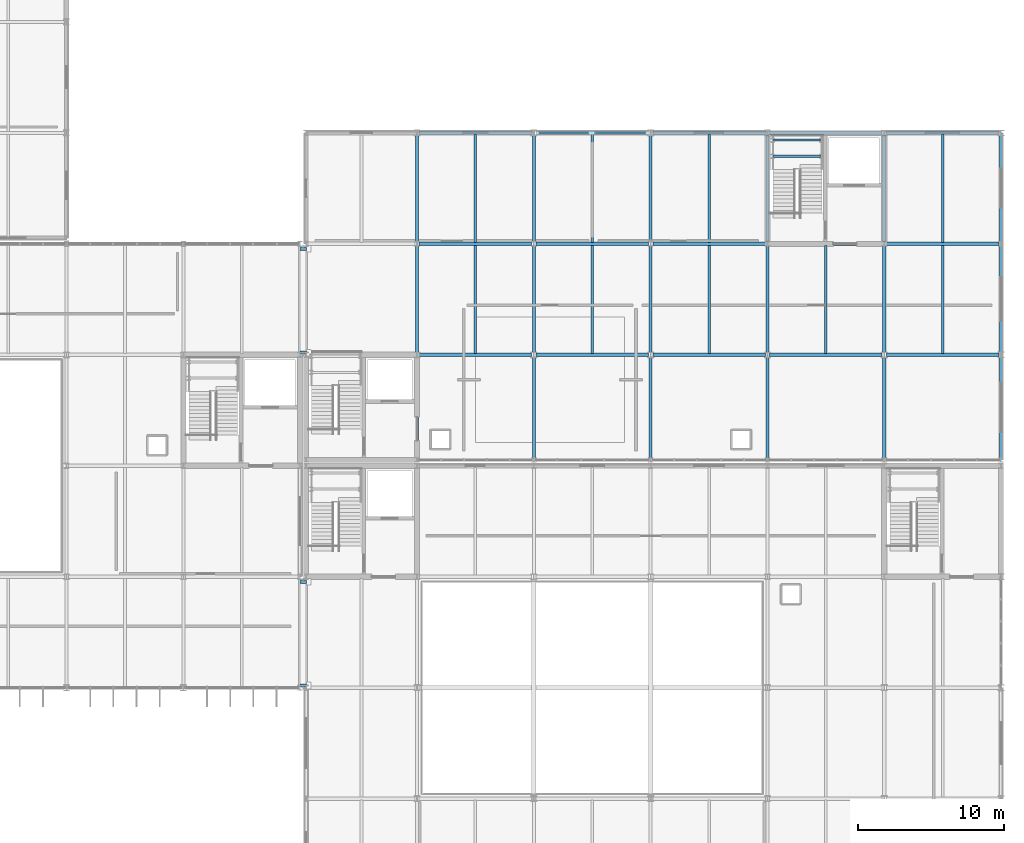
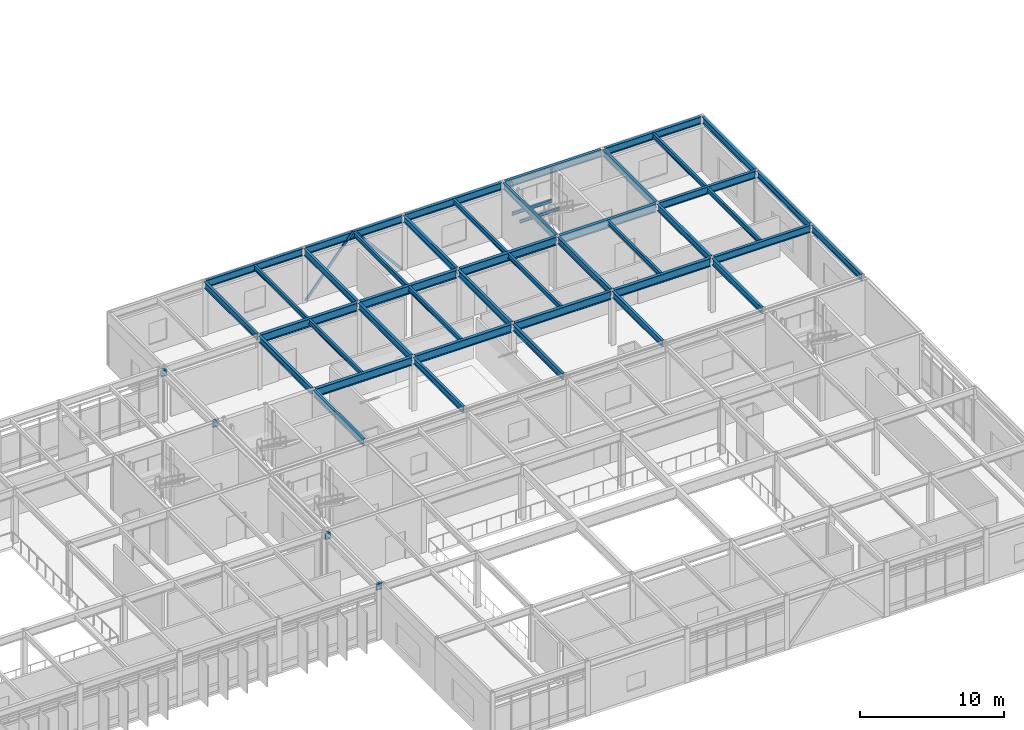
# One storey, part 69 of 104: 48 beams, 2 members.
"""IFC4 building model written with IfcOpenShell, lengths in metres."""

from ifc_helpers import new_model, si_unit, direction, frame, origin, origin_2d, place, context, subcontext, project, spatial, hollow_rectangle, i_section, extrude, material, material_profile, profile_set, type_object, element, save


model = new_model("IFC4")

# Units and contexts
model_context = context("Model", 3, precision=1e-05, world=origin(), true_north=direction((0.0, 1.0)))
body_context = subcontext(model_context, "Body", "Model", "MODEL_VIEW")
ifc_project = project(units=[si_unit("LENGTHUNIT", "METRE"), si_unit("AREAUNIT", "SQUARE_METRE"), si_unit("VOLUMEUNIT", "CUBIC_METRE"), si_unit("PLANEANGLEUNIT", "RADIAN"), si_unit("MASSUNIT", "GRAM", prefix="KILO")], contexts=[model_context])

# Site, building, storey
site_placement = place(None, origin())
site = spatial("IfcSite", under=ifc_project, at=site_placement, CompositionType="ELEMENT")
building_placement = place(site_placement, origin())
building = spatial("IfcBuilding", under=site, at=building_placement, Name="Zulena Civic Courthouse", CompositionType="ELEMENT")
storey_placement = place(building_placement, frame((0.0, 0.0, 10.800048828125)))
storey = spatial("IfcBuildingStorey", under=building, at=storey_placement, Name="L02", CompositionType="ELEMENT", Elevation=10.800048828125)

# Members
ifc_material_1 = material(Name="Steel ASTM A500 Grade C", Category="steel")
ifc_material_profile_1 = material_profile(ifc_material_1, hollow_rectangle(XDim=0.10205078125, YDim=0.202880859375, WallThickness=0.0087890625, at=origin_2d()), Name="HSS8X4X3/8")
ifc_profile_set_1 = profile_set([ifc_material_profile_1], Name="Steel ASTM A500 Grade C")
member_type = type_object("IfcMemberType", Name="Brace_HSS8X4", PredefinedType="BRACE", material=ifc_profile_set_1)
for number, where, z_axis, x_axis, name in (
    (1, (140.14990234375, 53.199951171875, 0.010009765625), (0.641014438311, 0.0, 0.767528820225), (0.0, 1.0, 0.0), "brace:V3:L02:3:0"),
    (2, (147.85009765625, 53.199951171875, 0.010009765625), (-0.641014438311, 0.0, 0.767528820225), (0.0, -1.0, 0.0), "brace:V3:L02:3:1"),
):
    element("IfcMember", number, at=place(storey_placement, frame(where, z_axis=z_axis, x_axis=x_axis)), inside=storey, type_object=member_type, Name=name, PredefinedType="BRACE", context=body_context, shape_type="SweptSolid", body=[
        extrude(hollow_rectangle(XDim=0.10205078125, YDim=0.202880859375, WallThickness=0.0087890625, at=origin_2d()), origin(), (0.0, 0.0, 1.0), 5.92822265625),
    ])

# Beams
ifc_material_2 = material(Name="Steel ASTM A992 Grade 50", Category="steel")
ifc_material_profile_2 = material_profile(ifc_material_2, i_section(OverallWidth=0.2099609375, OverallDepth=0.537109375, WebThickness=0.010986328125, FlangeThickness=0.017333984375, FilletRadius=0.0126953125, at=origin_2d()), Name="W21X68")
ifc_profile_set_2 = profile_set([ifc_material_profile_2], Name="Steel ASTM A992 Grade 50")
beam_type_1 = type_object("IfcBeamType", Name="BridgeGirder_W21X68", PredefinedType="BEAM", material=ifc_profile_set_2)
for number, where, z_axis, x_axis, name in (
    (3, (123.969970703125, 15.35009765625, 4.31640625), (1.0, 0.0, 0.0), (0.0, 1.0, 0.0), "beam:bridge:BR-41:L03:15.35"),
    (4, (123.969970703125, 22.449951171875, 4.31640625), (1.0, 0.0, 0.0), (0.0, 1.0, 0.0), "beam:bridge:BR-41:L03:22.45"),
    (5, (123.969970703125, 38.14990234375, 4.31640625), (1.0, 0.0, 0.0), (0.0, 1.0, 0.0), "beam:bridge:BR-43:L03:38.15"),
    (6, (123.969970703125, 45.25, 4.31640625), (1.0, 0.0, 0.0), (0.0, 1.0, 0.0), "beam:bridge:BR-43:L03:45.25"),
):
    element("IfcBeam", number, at=place(storey_placement, frame(where, z_axis=z_axis, x_axis=x_axis)), inside=storey, type_object=beam_type_1, Name=name, PredefinedType="BEAM", context=body_context, shape_type="SweptSolid", body=[
        extrude(i_section(OverallWidth=0.2099609375, OverallDepth=0.537109375, WebThickness=0.010986328125, FlangeThickness=0.017333984375, FilletRadius=0.0126953125, at=origin_2d()), origin(), (0.0, 0.0, 1.0), 0.4599609375),
    ])
ifc_material_profile_3 = material_profile(ifc_material_2, i_section(OverallWidth=0.214111328125, OverallDepth=0.549072265625, WebThickness=0.0146484375, FlangeThickness=0.023681640625, FilletRadius=0.0126953125, at=origin_2d()), Name="W21X93")
ifc_profile_set_3 = profile_set([ifc_material_profile_3], Name="Steel ASTM A992 Grade 50")
beam_type_2 = type_object("IfcBeamType", Name="Girder_W21X93", PredefinedType="BEAM", material=ifc_profile_set_3)
for number, where, z_axis, x_axis, name in (
    (7, (132.0, 38.14501953125, 4.3154296875), (0.0, 1.0, 0.0), (-1.0, 0.0, 0.0), "beam:Y:V3:L02:132.0:38.0_45.6"),
    (8, (140.0, 38.14501953125, 4.3154296875), (0.0, 1.0, 0.0), (-1.0, 0.0, 0.0), "beam:Y:V3:L02:140.0:38.0_45.6"),
    (9, (148.0, 38.14501953125, 4.3154296875), (0.0, 1.0, 0.0), (-1.0, 0.0, 0.0), "beam:Y:V3:L02:148.0:38.0_45.6"),
    (10, (156.0, 38.14501953125, 4.3154296875), (0.0, 1.0, 0.0), (-1.0, 0.0, 0.0), "beam:Y:V3:L02:156.0:38.0_45.6"),
    (11, (164.0, 38.14501953125, 4.3154296875), (0.0, 1.0, 0.0), (-1.0, 0.0, 0.0), "beam:Y:V3:L02:164.0:38.0_45.6"),
):
    element("IfcBeam", number, at=place(storey_placement, frame(where, z_axis=z_axis, x_axis=x_axis)), inside=storey, type_object=beam_type_2, Name=name, PredefinedType="BEAM", context=body_context, shape_type="SweptSolid", body=[
        extrude(i_section(OverallWidth=0.214111328125, OverallDepth=0.549072265625, WebThickness=0.0146484375, FlangeThickness=0.023681640625, FilletRadius=0.0126953125, at=origin_2d()), origin(), (0.0, 0.0, 1.0), 7.31005859375),
    ])
ifc_material_profile_4 = material_profile(ifc_material_2, i_section(OverallWidth=0.25390625, OverallDepth=0.701904296875, WebThickness=0.015380859375, FlangeThickness=0.02783203125, FilletRadius=0.0166015625, at=origin_2d()), Name="W27X129")
ifc_profile_set_4 = profile_set([ifc_material_profile_4], Name="Steel ASTM A992 Grade 50")
beam_type_3 = type_object("IfcBeamType", Name="Girder_W27X129", PredefinedType="BEAM", material=ifc_profile_set_4)
for number, where, z_axis, x_axis, name in (
    (12, (132.14501953125, 38.0, 4.239013671875), (1.0, 0.0, 0.0), (0.0, 1.0, 0.0), "beam:X:V3:L02:38.0:132.0_140.0"),
    (13, (140.14501953125, 38.0, 4.239013671875), (1.0, 0.0, 0.0), (0.0, 1.0, 0.0), "beam:X:V3:L02:38.0:140.0_148.0"),
    (14, (148.14501953125, 38.0, 4.239013671875), (1.0, 0.0, 0.0), (0.0, 1.0, 0.0), "beam:X:V3:L02:38.0:148.0_156.0"),
    (15, (156.14501953125, 38.0, 4.239013671875), (1.0, 0.0, 0.0), (0.0, 1.0, 0.0), "beam:X:V3:L02:38.0:156.0_164.0"),
    (16, (132.14501953125, 45.60009765625, 4.239013671875), (1.0, 0.0, 0.0), (0.0, 1.0, 0.0), "beam:X:V3:L02:45.6:132.0_140.0"),
    (17, (140.14501953125, 45.60009765625, 4.239013671875), (1.0, 0.0, 0.0), (0.0, 1.0, 0.0), "beam:X:V3:L02:45.6:140.0_148.0"),
    (18, (148.14501953125, 45.60009765625, 4.239013671875), (1.0, 0.0, 0.0), (0.0, 1.0, 0.0), "beam:X:V3:L02:45.6:148.0_156.0"),
    (19, (156.14501953125, 45.60009765625, 4.239013671875), (1.0, 0.0, 0.0), (0.0, 1.0, 0.0), "beam:X:V3:L02:45.6:156.0_164.0"),
):
    element("IfcBeam", number, at=place(storey_placement, frame(where, z_axis=z_axis, x_axis=x_axis)), inside=storey, type_object=beam_type_3, Name=name, PredefinedType="BEAM", context=body_context, shape_type="SweptSolid", body=[
        extrude(i_section(OverallWidth=0.25390625, OverallDepth=0.701904296875, WebThickness=0.015380859375, FlangeThickness=0.02783203125, FilletRadius=0.0166015625, at=origin_2d()), origin(), (0.0, 0.0, 1.0), 7.7099609375),
    ])
ifc_material_profile_5 = material_profile(ifc_material_2, i_section(OverallWidth=0.14599609375, OverallDepth=0.258056640625, WebThickness=0.006103515625, FlangeThickness=0.009033203125, FilletRadius=0.007568359375, at=origin_2d()), Name="W10X22")
ifc_profile_set_5 = profile_set([ifc_material_profile_5], Name="Steel ASTM A992 Grade 50")
beam_type_4 = type_object("IfcBeamType", Name="Joist_W10X22", PredefinedType="JOIST", material=ifc_profile_set_5)
for number, where, z_axis, x_axis, name in (
    (20, (156.419921875, 51.60009765625, 1.990966796875), (1.0, 0.0, 0.0), (0.0, 1.0, 0.0), "beam:lnd:K3B:L02:0"),
    (21, (156.419921875, 52.699951171875, 1.990966796875), (1.0, 0.0, 0.0), (0.0, 1.0, 0.0), "beam:lnd:K3B:L02:1"),
):
    element("IfcBeam", number, at=place(storey_placement, frame(where, z_axis=z_axis, x_axis=x_axis)), inside=storey, type_object=beam_type_4, Name=name, PredefinedType="JOIST", context=body_context, shape_type="SweptSolid", body=[
        extrude(i_section(OverallWidth=0.14599609375, OverallDepth=0.258056640625, WebThickness=0.006103515625, FlangeThickness=0.009033203125, FilletRadius=0.007568359375, at=origin_2d()), origin(), (0.0, 0.0, 1.0), 3.2001953125),
    ])
ifc_material_profile_6 = material_profile(ifc_material_2, i_section(OverallWidth=0.177978515625, OverallDepth=0.406005859375, WebThickness=0.0078125, FlangeThickness=0.0126953125, FilletRadius=0.01025390625, at=origin_2d()), Name="W16X40")
ifc_profile_set_6 = profile_set([ifc_material_profile_6], Name="Steel ASTM A992 Grade 50")
beam_type_5 = type_object("IfcBeamType", Name="Joist_W16X40", PredefinedType="JOIST", material=ifc_profile_set_6)
beam_1_placement = place(storey_placement, frame((136.0, 38.10498046875, 4.386962890625), z_axis=(0.0, 1.0, 0.0), x_axis=(-1.0, 0.0, 0.0)))
element("IfcBeam", 22, at=beam_1_placement, inside=storey, type_object=beam_type_5, Name="joist:V3:L02:136.00:38.0_45.6", PredefinedType="JOIST", context=body_context, shape_type="SweptSolid", body=[
    extrude(i_section(OverallWidth=0.177978515625, OverallDepth=0.406005859375, WebThickness=0.0078125, FlangeThickness=0.0126953125, FilletRadius=0.01025390625, at=origin_2d()), origin(), (0.0, 0.0, 1.0), 7.39013671875),
])
beam_2_placement = place(storey_placement, frame((136.0, 45.705078125, 4.386962890625), z_axis=(0.0, 1.0, 0.0), x_axis=(-1.0, 0.0, 0.0)))
element("IfcBeam", 23, at=beam_2_placement, inside=storey, type_object=beam_type_5, Name="joist:V3:L02:136.00:45.6_53.2", PredefinedType="JOIST", context=body_context, shape_type="SweptSolid", body=[
    extrude(i_section(OverallWidth=0.177978515625, OverallDepth=0.406005859375, WebThickness=0.0078125, FlangeThickness=0.0126953125, FilletRadius=0.01025390625, at=origin_2d()), origin(), (0.0, 0.0, 1.0), 7.389892578125),
])
beam_3_placement = place(storey_placement, frame((144.0, 38.10498046875, 4.386962890625), z_axis=(0.0, 1.0, 0.0), x_axis=(-1.0, 0.0, 0.0)))
element("IfcBeam", 24, at=beam_3_placement, inside=storey, type_object=beam_type_5, Name="joist:V3:L02:144.00:38.0_45.6", PredefinedType="JOIST", context=body_context, shape_type="SweptSolid", body=[
    extrude(i_section(OverallWidth=0.177978515625, OverallDepth=0.406005859375, WebThickness=0.0078125, FlangeThickness=0.0126953125, FilletRadius=0.01025390625, at=origin_2d()), origin(), (0.0, 0.0, 1.0), 7.39013671875),
])
beam_4_placement = place(storey_placement, frame((144.0, 45.705078125, 4.386962890625), z_axis=(0.0, 1.0, 0.0), x_axis=(-1.0, 0.0, 0.0)))
element("IfcBeam", 25, at=beam_4_placement, inside=storey, type_object=beam_type_5, Name="joist:V3:L02:144.00:45.6_53.2", PredefinedType="JOIST", context=body_context, shape_type="SweptSolid", body=[
    extrude(i_section(OverallWidth=0.177978515625, OverallDepth=0.406005859375, WebThickness=0.0078125, FlangeThickness=0.0126953125, FilletRadius=0.01025390625, at=origin_2d()), origin(), (0.0, 0.0, 1.0), 7.389892578125),
])
beam_5_placement = place(storey_placement, frame((152.0, 38.10498046875, 4.386962890625), z_axis=(0.0, 1.0, 0.0), x_axis=(-1.0, 0.0, 0.0)))
element("IfcBeam", 26, at=beam_5_placement, inside=storey, type_object=beam_type_5, Name="joist:V3:L02:152.00:38.0_45.6", PredefinedType="JOIST", context=body_context, shape_type="SweptSolid", body=[
    extrude(i_section(OverallWidth=0.177978515625, OverallDepth=0.406005859375, WebThickness=0.0078125, FlangeThickness=0.0126953125, FilletRadius=0.01025390625, at=origin_2d()), origin(), (0.0, 0.0, 1.0), 7.39013671875),
])
beam_6_placement = place(storey_placement, frame((152.0, 45.705078125, 4.386962890625), z_axis=(0.0, 1.0, 0.0), x_axis=(-1.0, 0.0, 0.0)))
element("IfcBeam", 27, at=beam_6_placement, inside=storey, type_object=beam_type_5, Name="joist:V3:L02:152.00:45.6_53.2", PredefinedType="JOIST", context=body_context, shape_type="SweptSolid", body=[
    extrude(i_section(OverallWidth=0.177978515625, OverallDepth=0.406005859375, WebThickness=0.0078125, FlangeThickness=0.0126953125, FilletRadius=0.01025390625, at=origin_2d()), origin(), (0.0, 0.0, 1.0), 7.389892578125),
])
for number, where, z_axis, x_axis, name in (
    (28, (160.0, 38.10498046875, 4.386962890625), (0.0, 1.0, 0.0), (-1.0, 0.0, 0.0), "joist:V3:L02:160.00:38.0_45.6"),
    (29, (168.0, 38.10498046875, 4.386962890625), (0.0, 1.0, 0.0), (-1.0, 0.0, 0.0), "joist:V3:L02:168.00:38.0_45.6"),
):
    element("IfcBeam", number, at=place(storey_placement, frame(where, z_axis=z_axis, x_axis=x_axis)), inside=storey, type_object=beam_type_5, Name=name, PredefinedType="JOIST", context=body_context, shape_type="SweptSolid", body=[
        extrude(i_section(OverallWidth=0.177978515625, OverallDepth=0.406005859375, WebThickness=0.0078125, FlangeThickness=0.0126953125, FilletRadius=0.01025390625, at=origin_2d()), origin(), (0.0, 0.0, 1.0), 7.39013671875),
    ])
beam_7_placement = place(storey_placement, frame((168.0, 45.705078125, 4.386962890625), z_axis=(0.0, 1.0, 0.0), x_axis=(-1.0, 0.0, 0.0)))
element("IfcBeam", 30, at=beam_7_placement, inside=storey, type_object=beam_type_5, Name="joist:V3:L02:168.00:45.6_53.2", PredefinedType="JOIST", context=body_context, shape_type="SweptSolid", body=[
    extrude(i_section(OverallWidth=0.177978515625, OverallDepth=0.406005859375, WebThickness=0.0078125, FlangeThickness=0.0126953125, FilletRadius=0.01025390625, at=origin_2d()), origin(), (0.0, 0.0, 1.0), 7.389892578125),
])
ifc_material_profile_7 = material_profile(ifc_material_2, i_section(OverallWidth=0.2099609375, OverallDepth=0.537109375, WebThickness=0.010986328125, FlangeThickness=0.017333984375, FilletRadius=0.0126953125, at=origin_2d()), Name="W21X68")
ifc_profile_set_7 = profile_set([ifc_material_profile_7], Name="Steel ASTM A992 Grade 50")
beam_type_6 = type_object("IfcBeamType", Name="Spandrel_W21X68", PredefinedType="SPANDREL", material=ifc_profile_set_7)
beam_8_placement = place(storey_placement, frame((132.0, 30.945068359375, 4.321533203125), z_axis=(0.0, 1.0, 0.0), x_axis=(-1.0, 0.0, 0.0)))
element("IfcBeam", 31, at=beam_8_placement, inside=storey, type_object=beam_type_6, Name="beam:Y:V3:L02:132.0:30.8_38.0", PredefinedType="SPANDREL", context=body_context, shape_type="SweptSolid", body=[
    extrude(i_section(OverallWidth=0.2099609375, OverallDepth=0.537109375, WebThickness=0.010986328125, FlangeThickness=0.017333984375, FilletRadius=0.0126953125, at=origin_2d()), origin(), (0.0, 0.0, 1.0), 6.909912109375),
])
beam_9_placement = place(storey_placement, frame((132.0, 45.7451171875, 4.321533203125), z_axis=(0.0, 1.0, 0.0), x_axis=(-1.0, 0.0, 0.0)))
element("IfcBeam", 32, at=beam_9_placement, inside=storey, type_object=beam_type_6, Name="beam:Y:V3:L02:132.0:45.6_53.2", PredefinedType="SPANDREL", context=body_context, shape_type="SweptSolid", body=[
    extrude(i_section(OverallWidth=0.2099609375, OverallDepth=0.537109375, WebThickness=0.010986328125, FlangeThickness=0.017333984375, FilletRadius=0.0126953125, at=origin_2d()), origin(), (0.0, 0.0, 1.0), 7.309814453125),
])
beam_10_placement = place(storey_placement, frame((140.0, 30.945068359375, 4.321533203125), z_axis=(0.0, 1.0, 0.0), x_axis=(-1.0, 0.0, 0.0)))
element("IfcBeam", 33, at=beam_10_placement, inside=storey, type_object=beam_type_6, Name="beam:Y:V3:L02:140.0:30.8_38.0", PredefinedType="SPANDREL", context=body_context, shape_type="SweptSolid", body=[
    extrude(i_section(OverallWidth=0.2099609375, OverallDepth=0.537109375, WebThickness=0.010986328125, FlangeThickness=0.017333984375, FilletRadius=0.0126953125, at=origin_2d()), origin(), (0.0, 0.0, 1.0), 6.909912109375),
])
beam_11_placement = place(storey_placement, frame((140.0, 45.7451171875, 4.321533203125), z_axis=(0.0, 1.0, 0.0), x_axis=(-1.0, 0.0, 0.0)))
element("IfcBeam", 34, at=beam_11_placement, inside=storey, type_object=beam_type_6, Name="beam:Y:V3:L02:140.0:45.6_53.2", PredefinedType="SPANDREL", context=body_context, shape_type="SweptSolid", body=[
    extrude(i_section(OverallWidth=0.2099609375, OverallDepth=0.537109375, WebThickness=0.010986328125, FlangeThickness=0.017333984375, FilletRadius=0.0126953125, at=origin_2d()), origin(), (0.0, 0.0, 1.0), 7.309814453125),
])
beam_12_placement = place(storey_placement, frame((148.0, 30.945068359375, 4.321533203125), z_axis=(0.0, 1.0, 0.0), x_axis=(-1.0, 0.0, 0.0)))
element("IfcBeam", 35, at=beam_12_placement, inside=storey, type_object=beam_type_6, Name="beam:Y:V3:L02:148.0:30.8_38.0", PredefinedType="SPANDREL", context=body_context, shape_type="SweptSolid", body=[
    extrude(i_section(OverallWidth=0.2099609375, OverallDepth=0.537109375, WebThickness=0.010986328125, FlangeThickness=0.017333984375, FilletRadius=0.0126953125, at=origin_2d()), origin(), (0.0, 0.0, 1.0), 6.909912109375),
])
beam_13_placement = place(storey_placement, frame((148.0, 45.7451171875, 4.321533203125), z_axis=(0.0, 1.0, 0.0), x_axis=(-1.0, 0.0, 0.0)))
element("IfcBeam", 36, at=beam_13_placement, inside=storey, type_object=beam_type_6, Name="beam:Y:V3:L02:148.0:45.6_53.2", PredefinedType="SPANDREL", context=body_context, shape_type="SweptSolid", body=[
    extrude(i_section(OverallWidth=0.2099609375, OverallDepth=0.537109375, WebThickness=0.010986328125, FlangeThickness=0.017333984375, FilletRadius=0.0126953125, at=origin_2d()), origin(), (0.0, 0.0, 1.0), 7.309814453125),
])
beam_14_placement = place(storey_placement, frame((156.0, 30.945068359375, 4.321533203125), z_axis=(0.0, 1.0, 0.0), x_axis=(-1.0, 0.0, 0.0)))
element("IfcBeam", 37, at=beam_14_placement, inside=storey, type_object=beam_type_6, Name="beam:Y:V3:L02:156.0:30.8_38.0", PredefinedType="SPANDREL", context=body_context, shape_type="SweptSolid", body=[
    extrude(i_section(OverallWidth=0.2099609375, OverallDepth=0.537109375, WebThickness=0.010986328125, FlangeThickness=0.017333984375, FilletRadius=0.0126953125, at=origin_2d()), origin(), (0.0, 0.0, 1.0), 6.909912109375),
])
beam_15_placement = place(storey_placement, frame((156.0, 45.7451171875, 4.321533203125), z_axis=(0.0, 1.0, 0.0), x_axis=(-1.0, 0.0, 0.0)))
element("IfcBeam", 38, at=beam_15_placement, inside=storey, type_object=beam_type_6, Name="beam:Y:V3:L02:156.0:45.6_53.2", PredefinedType="SPANDREL", context=body_context, shape_type="SweptSolid", body=[
    extrude(i_section(OverallWidth=0.2099609375, OverallDepth=0.537109375, WebThickness=0.010986328125, FlangeThickness=0.017333984375, FilletRadius=0.0126953125, at=origin_2d()), origin(), (0.0, 0.0, 1.0), 7.309814453125),
])
beam_16_placement = place(storey_placement, frame((164.0, 30.945068359375, 4.321533203125), z_axis=(0.0, 1.0, 0.0), x_axis=(-1.0, 0.0, 0.0)))
element("IfcBeam", 39, at=beam_16_placement, inside=storey, type_object=beam_type_6, Name="beam:Y:V3:L02:164.0:30.8_38.0", PredefinedType="SPANDREL", context=body_context, shape_type="SweptSolid", body=[
    extrude(i_section(OverallWidth=0.2099609375, OverallDepth=0.537109375, WebThickness=0.010986328125, FlangeThickness=0.017333984375, FilletRadius=0.0126953125, at=origin_2d()), origin(), (0.0, 0.0, 1.0), 6.909912109375),
])
beam_17_placement = place(storey_placement, frame((164.0, 45.7451171875, 4.321533203125), z_axis=(0.0, 1.0, 0.0), x_axis=(-1.0, 0.0, 0.0)))
element("IfcBeam", 40, at=beam_17_placement, inside=storey, type_object=beam_type_6, Name="beam:Y:V3:L02:164.0:45.6_53.2", PredefinedType="SPANDREL", context=body_context, shape_type="SweptSolid", body=[
    extrude(i_section(OverallWidth=0.2099609375, OverallDepth=0.537109375, WebThickness=0.010986328125, FlangeThickness=0.017333984375, FilletRadius=0.0126953125, at=origin_2d()), origin(), (0.0, 0.0, 1.0), 7.309814453125),
])
beam_18_placement = place(storey_placement, frame((172.0, 30.945068359375, 4.321533203125), z_axis=(0.0, 1.0, 0.0), x_axis=(-1.0, 0.0, 0.0)))
element("IfcBeam", 41, at=beam_18_placement, inside=storey, type_object=beam_type_6, Name="beam:Y:V3:L02:172.0:30.8_38.0", PredefinedType="SPANDREL", context=body_context, shape_type="SweptSolid", body=[
    extrude(i_section(OverallWidth=0.2099609375, OverallDepth=0.537109375, WebThickness=0.010986328125, FlangeThickness=0.017333984375, FilletRadius=0.0126953125, at=origin_2d()), origin(), (0.0, 0.0, 1.0), 6.909912109375),
])
beam_19_placement = place(storey_placement, frame((172.0, 38.14501953125, 4.321533203125), z_axis=(0.0, 1.0, 0.0), x_axis=(-1.0, 0.0, 0.0)))
element("IfcBeam", 42, at=beam_19_placement, inside=storey, type_object=beam_type_6, Name="beam:Y:V3:L02:172.0:38.0_45.6", PredefinedType="SPANDREL", context=body_context, shape_type="SweptSolid", body=[
    extrude(i_section(OverallWidth=0.2099609375, OverallDepth=0.537109375, WebThickness=0.010986328125, FlangeThickness=0.017333984375, FilletRadius=0.0126953125, at=origin_2d()), origin(), (0.0, 0.0, 1.0), 7.31005859375),
])
beam_20_placement = place(storey_placement, frame((172.0, 45.7451171875, 4.321533203125), z_axis=(0.0, 1.0, 0.0), x_axis=(-1.0, 0.0, 0.0)))
element("IfcBeam", 43, at=beam_20_placement, inside=storey, type_object=beam_type_6, Name="beam:Y:V3:L02:172.0:45.6_53.2", PredefinedType="SPANDREL", context=body_context, shape_type="SweptSolid", body=[
    extrude(i_section(OverallWidth=0.2099609375, OverallDepth=0.537109375, WebThickness=0.010986328125, FlangeThickness=0.017333984375, FilletRadius=0.0126953125, at=origin_2d()), origin(), (0.0, 0.0, 1.0), 7.309814453125),
])
ifc_material_profile_8 = material_profile(ifc_material_2, i_section(OverallWidth=0.22998046875, OverallDepth=0.616943359375, WebThickness=0.01318359375, FlangeThickness=0.022216796875, FilletRadius=0.0126953125, at=origin_2d()), Name="W24X94")
ifc_profile_set_8 = profile_set([ifc_material_profile_8], Name="Steel ASTM A992 Grade 50")
beam_type_7 = type_object("IfcBeamType", Name="Spandrel_W24X94", PredefinedType="SPANDREL", material=ifc_profile_set_8)
for number, where, z_axis, x_axis, name in (
    (44, (164.14501953125, 38.0, 4.281494140625), (1.0, 0.0, 0.0), (0.0, 1.0, 0.0), "beam:X:V3:L02:38.0:164.0_172.0"),
    (45, (164.14501953125, 45.60009765625, 4.281494140625), (1.0, 0.0, 0.0), (0.0, 1.0, 0.0), "beam:X:V3:L02:45.6:164.0_172.0"),
    (46, (132.14501953125, 53.199951171875, 4.281494140625), (1.0, 0.0, 0.0), (0.0, 1.0, 0.0), "beam:X:V3:L02:53.2:132.0_140.0"),
    (47, (140.14501953125, 53.199951171875, 4.281494140625), (1.0, 0.0, 0.0), (0.0, 1.0, 0.0), "beam:X:V3:L02:53.2:140.0_148.0"),
    (48, (148.14501953125, 53.199951171875, 4.281494140625), (1.0, 0.0, 0.0), (0.0, 1.0, 0.0), "beam:X:V3:L02:53.2:148.0_156.0"),
    (49, (156.14501953125, 53.199951171875, 4.281494140625), (1.0, 0.0, 0.0), (0.0, 1.0, 0.0), "beam:X:V3:L02:53.2:156.0_164.0"),
    (50, (164.14501953125, 53.199951171875, 4.281494140625), (1.0, 0.0, 0.0), (0.0, 1.0, 0.0), "beam:X:V3:L02:53.2:164.0_172.0"),
):
    element("IfcBeam", number, at=place(storey_placement, frame(where, z_axis=z_axis, x_axis=x_axis)), inside=storey, type_object=beam_type_7, Name=name, PredefinedType="SPANDREL", context=body_context, shape_type="SweptSolid", body=[
        extrude(i_section(OverallWidth=0.22998046875, OverallDepth=0.616943359375, WebThickness=0.01318359375, FlangeThickness=0.022216796875, FilletRadius=0.0126953125, at=origin_2d()), origin(), (0.0, 0.0, 1.0), 7.7099609375),
    ])

save(model, "model.ifc")
